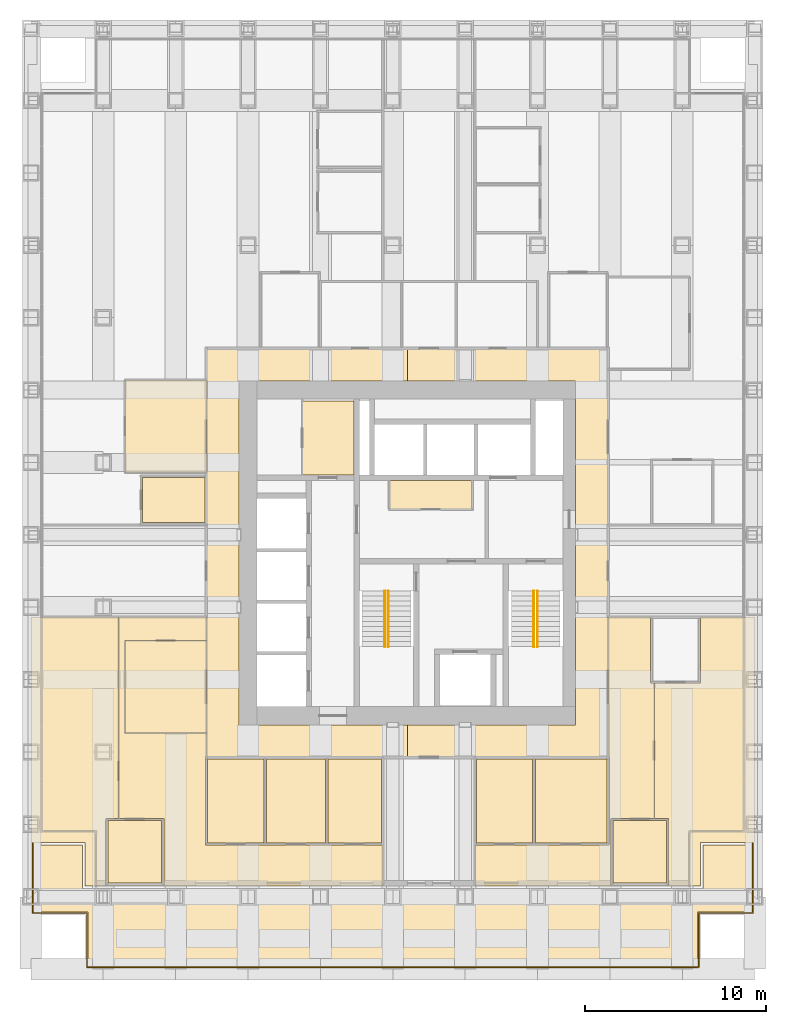
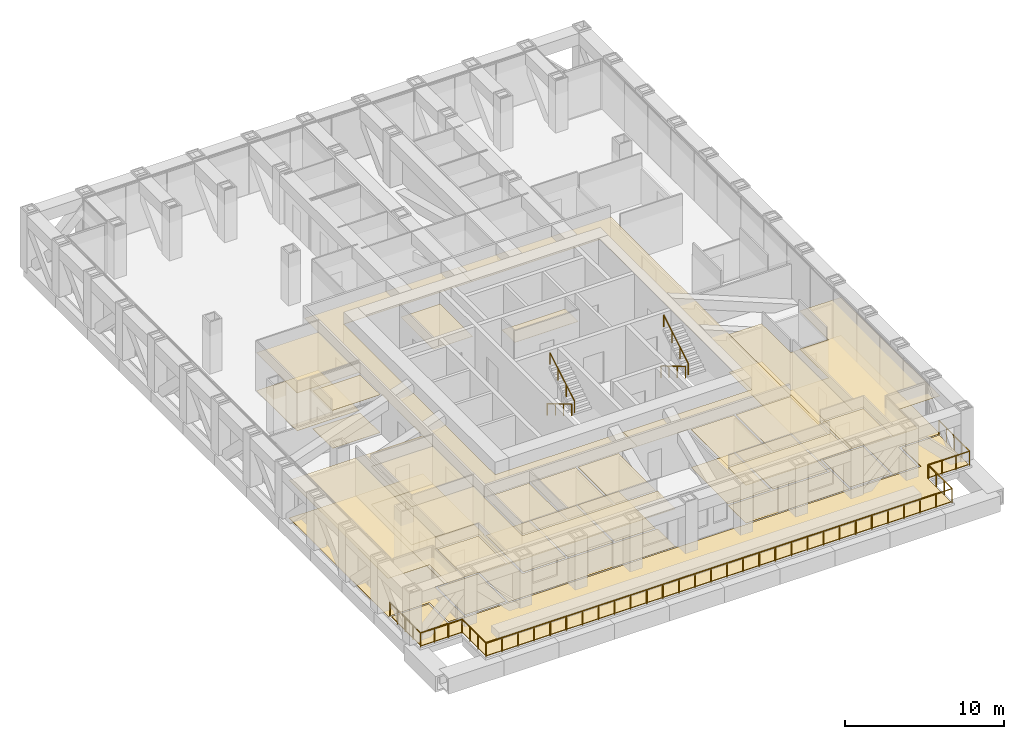
# One storey, part 14 of 16: 33 coverings, 5 railings.
"""IFC4 building model written with IfcOpenShell, lengths in metres."""

from ifc_helpers import new_model, si_unit, direction, frame, origin, origin_2d, place, context, subcontext, project, spatial, polyline, circle, outline, extrude, material, layer, layer_set, type_object, element, save


model = new_model("IFC4")

# Units and contexts
model_context = context("Model", 3, precision=1e-05, world=origin(), true_north=direction((0.0, 1.0)))
body_context = subcontext(model_context, "Body", "Model", "MODEL_VIEW")
ifc_project = project(units=[si_unit("LENGTHUNIT", "METRE"), si_unit("AREAUNIT", "SQUARE_METRE"), si_unit("VOLUMEUNIT", "CUBIC_METRE"), si_unit("PLANEANGLEUNIT", "RADIAN"), si_unit("MASSUNIT", "GRAM", prefix="KILO")], contexts=[model_context])

# Site, building, storey
site_placement = place(None, origin())
site = spatial("IfcSite", under=ifc_project, at=site_placement, CompositionType="ELEMENT")
building_placement = place(site_placement, origin())
building = spatial("IfcBuilding", under=site, at=building_placement, Name="Rimbunsela Tower", CompositionType="ELEMENT")
storey_placement = place(building_placement, frame((0.0, 0.0, 171.800048828125)))
storey = spatial("IfcBuildingStorey", under=building, at=storey_placement, Name="L41", CompositionType="ELEMENT", Elevation=171.800048828125)

# Coverings
ifc_material_1 = material(Name="Nylon carpet tile", Category="textile")
ifc_layer_1 = layer(ifc_material_1, 0.010009765625)
ifc_layer_set_1 = layer_set([ifc_layer_1], Name="Carpet tile 10")
covering_type_1 = type_object("IfcCoveringType", Name="Carpet tile 10", PredefinedType="FLOORING", material=ifc_layer_set_1)
covering_1_placement = place(storey_placement, origin())
element("IfcCovering", 1, at=covering_1_placement, inside=storey, type_object=covering_type_1, Name="Floor finish Open office", PredefinedType="FLOORING", context=body_context, shape_type="SweptSolid", body=[
    extrude(outline(polyline([(19.0, 10.85009765625), (22.300048828125, 10.85009765625), (22.39990234375, 10.85009765625), (25.448974609375, 10.85009765625), (25.448974609375, 8.60009765625), (15.699951171875, 8.60009765625), (10.85009765625, 8.60009765625), (10.85009765625, 8.6298828125), (13.35009765625, 8.6298828125), (13.35009765625, 12.330078125), (10.85009765625, 12.330078125), (10.85009765625, 23.448974609375), (15.699951171875, 23.448974609375), (15.699951171875, 22.14892578125), (11.199951171875, 22.14892578125), (11.199951171875, 17.049072265625), (15.699951171875, 17.049072265625), (15.699951171875, 15.75), (15.64990234375, 15.75), (15.64990234375, 10.85009765625), (15.699951171875, 10.85009765625), (18.89990234375, 10.85009765625), (19.0, 10.85009765625)])), origin(), (0.0, 0.0, 1.0), 0.010009765625),
])
covering_2_placement = place(storey_placement, origin())
element("IfcCovering", 2, at=covering_2_placement, inside=storey, type_object=covering_type_1, Name="Floor finish Open office", PredefinedType="FLOORING", context=body_context, shape_type="SweptSolid", body=[
    extrude(outline(polyline([(10.85009765625, 8.60009765625), (9.0, 8.60009765625), (9.0, 11.0), (6.0, 11.0), (6.0, 23.448974609375), (10.85009765625, 23.448974609375), (10.85009765625, 12.330078125), (10.14990234375, 12.330078125), (10.14990234375, 8.6298828125), (10.85009765625, 8.6298828125), (10.85009765625, 8.60009765625)])), origin(), (0.0, 0.0, 1.0), 0.010009765625),
])
covering_3_placement = place(storey_placement, origin())
element("IfcCovering", 3, at=covering_3_placement, inside=storey, type_object=covering_type_1, Name="Floor finish Open office", PredefinedType="FLOORING", context=body_context, shape_type="SweptSolid", body=[
    extrude(outline(polyline([(33.7509765625, 10.85009765625), (33.85107421875, 10.85009765625), (37.89990234375, 10.85009765625), (37.949951171875, 10.85009765625), (37.949951171875, 15.75), (37.89990234375, 15.75), (37.89990234375, 23.448974609375), (40.25, 23.448974609375), (40.25, 19.800048828125), (40.449951171875, 19.800048828125), (40.449951171875, 12.330078125), (38.050048828125, 12.330078125), (38.050048828125, 8.6298828125), (40.449951171875, 8.6298828125), (40.449951171875, 8.60009765625), (37.89990234375, 8.60009765625), (30.551025390625, 8.60009765625), (30.551025390625, 10.85009765625), (33.7509765625, 10.85009765625)])), origin(), (0.0, 0.0, 1.0), 0.010009765625),
])
covering_4_placement = place(storey_placement, origin())
element("IfcCovering", 4, at=covering_4_placement, inside=storey, type_object=covering_type_1, Name="Floor finish Open office", PredefinedType="FLOORING", context=body_context, shape_type="SweptSolid", body=[
    extrude(outline(polyline([(40.449951171875, 19.800048828125), (43.0, 19.800048828125), (43.0, 23.448974609375), (46.0, 23.448974609375), (46.0, 11.0), (43.0, 11.0), (43.0, 8.60009765625), (40.449951171875, 8.60009765625), (40.449951171875, 8.6298828125), (41.25, 8.6298828125), (41.25, 12.330078125), (40.449951171875, 12.330078125), (40.449951171875, 19.800048828125)])), origin(), (0.0, 0.0, 1.0), 0.010009765625),
])
covering_5_placement = place(storey_placement, origin())
element("IfcCovering", 5, at=covering_5_placement, inside=storey, type_object=covering_type_1, Name="Floor finish Reception", PredefinedType="FLOORING", context=body_context, shape_type="SweptSolid", body=[
    extrude(outline(polyline([(15.699951171875, 17.049072265625), (15.699951171875, 22.14892578125), (11.199951171875, 22.14892578125), (11.199951171875, 17.049072265625), (15.699951171875, 17.049072265625)])), origin(), (0.0, 0.0, 1.0), 0.010009765625),
])
covering_6_placement = place(storey_placement, origin())
element("IfcCovering", 6, at=covering_6_placement, inside=storey, type_object=covering_type_1, Name="Floor finish Reception", PredefinedType="FLOORING", context=body_context, shape_type="SweptSolid", body=[
    extrude(outline(polyline([(15.699951171875, 31.450927734375), (15.699951171875, 36.551025390625), (11.199951171875, 36.551025390625), (11.199951171875, 31.450927734375), (15.699951171875, 31.450927734375)])), origin(), (0.0, 0.0, 1.0), 0.010009765625),
])
covering_7_placement = place(storey_placement, origin())
element("IfcCovering", 7, at=covering_7_placement, inside=storey, type_object=covering_type_1, Name="Floor finish Interview room", PredefinedType="FLOORING", context=body_context, shape_type="SweptSolid", body=[
    extrude(outline(polyline([(18.875, 10.97509765625), (18.875, 15.625), (15.77490234375, 15.625), (15.77490234375, 10.97509765625), (18.875, 10.97509765625)])), origin(), (0.0, 0.0, 1.0), 0.010009765625),
])
covering_8_placement = place(storey_placement, origin())
element("IfcCovering", 8, at=covering_8_placement, inside=storey, type_object=covering_type_1, Name="Floor finish Pantry", PredefinedType="FLOORING", context=body_context, shape_type="SweptSolid", body=[
    extrude(outline(polyline([(22.27490234375, 10.97509765625), (22.27490234375, 15.625), (19.02490234375, 15.625), (19.02490234375, 10.97509765625), (22.27490234375, 10.97509765625)])), origin(), (0.0, 0.0, 1.0), 0.010009765625),
])
covering_9_placement = place(storey_placement, origin())
element("IfcCovering", 9, at=covering_9_placement, inside=storey, type_object=covering_type_1, Name="Floor finish Print and copy room", PredefinedType="FLOORING", context=body_context, shape_type="SweptSolid", body=[
    extrude(outline(polyline([(25.3740234375, 10.97509765625), (25.3740234375, 15.625), (22.425048828125, 15.625), (22.425048828125, 10.97509765625), (25.3740234375, 10.97509765625)])), origin(), (0.0, 0.0, 1.0), 0.010009765625),
])
covering_10_placement = place(storey_placement, origin())
element("IfcCovering", 10, at=covering_10_placement, inside=storey, type_object=covering_type_1, Name="Floor finish Interview room", PredefinedType="FLOORING", context=body_context, shape_type="SweptSolid", body=[
    extrude(outline(polyline([(33.72607421875, 10.97509765625), (33.72607421875, 15.625), (30.6259765625, 15.625), (30.6259765625, 10.97509765625), (33.72607421875, 10.97509765625)])), origin(), (0.0, 0.0, 1.0), 0.010009765625),
])
covering_11_placement = place(storey_placement, origin())
element("IfcCovering", 11, at=covering_11_placement, inside=storey, type_object=covering_type_1, Name="Floor finish Pantry", PredefinedType="FLOORING", context=body_context, shape_type="SweptSolid", body=[
    extrude(outline(polyline([(37.824951171875, 10.97509765625), (37.824951171875, 15.625), (33.8759765625, 15.625), (33.8759765625, 10.97509765625), (37.824951171875, 10.97509765625)])), origin(), (0.0, 0.0, 1.0), 0.010009765625),
])
covering_12_placement = place(storey_placement, origin())
element("IfcCovering", 12, at=covering_12_placement, inside=storey, type_object=covering_type_1, Name="Floor finish Office", PredefinedType="FLOORING", context=body_context, shape_type="SweptSolid", body=[
    extrude(outline(polyline([(13.22509765625, 8.7548828125), (13.22509765625, 12.205078125), (10.27490234375, 12.205078125), (10.27490234375, 8.7548828125), (13.22509765625, 8.7548828125)])), origin(), (0.0, 0.0, 1.0), 0.010009765625),
])
covering_13_placement = place(storey_placement, origin())
element("IfcCovering", 13, at=covering_13_placement, inside=storey, type_object=covering_type_1, Name="Floor finish Print and copy room", PredefinedType="FLOORING", context=body_context, shape_type="SweptSolid", body=[
    extrude(outline(polyline([(15.625, 28.675048828125), (15.625, 31.175048828125), (12.175048828125, 31.175048828125), (12.175048828125, 28.675048828125), (15.625, 28.675048828125)])), origin(), (0.0, 0.0, 1.0), 0.010009765625),
])
covering_14_placement = place(storey_placement, origin())
element("IfcCovering", 14, at=covering_14_placement, inside=storey, type_object=covering_type_1, Name="Floor finish Office", PredefinedType="FLOORING", context=body_context, shape_type="SweptSolid", body=[
    extrude(outline(polyline([(41.125, 8.7548828125), (41.125, 12.205078125), (38.175048828125, 12.205078125), (38.175048828125, 8.7548828125), (41.125, 8.7548828125)])), origin(), (0.0, 0.0, 1.0), 0.010009765625),
])
ifc_material_2 = material(Name="Mineral fibre ceiling tile", Category="gypsum")
ifc_layer_2 = layer(ifc_material_2, 0.02001953125)
ifc_layer_set_2 = layer_set([ifc_layer_2], Name="Ceiling 600 grid")
covering_type_2 = type_object("IfcCoveringType", Name="Ceiling 600 grid", PredefinedType="CEILING", material=ifc_layer_set_2)
covering_15_placement = place(storey_placement, frame((0.0, 0.0, 2.89990234375)))
element("IfcCovering", 15, at=covering_15_placement, inside=storey, type_object=covering_type_2, Name="Ceiling Staff pantry", PredefinedType="CEILING", context=body_context, shape_type="SweptSolid", body=[
    extrude(outline(polyline([(30.39990234375, 29.39990234375), (30.39990234375, 31.0), (25.800048828125, 31.0), (25.800048828125, 29.39990234375), (30.39990234375, 29.39990234375)])), origin(), (0.0, 0.0, 1.0), 0.02001953125),
])
covering_16_placement = place(storey_placement, frame((0.0, 0.0, 2.89990234375)))
element("IfcCovering", 16, at=covering_16_placement, inside=storey, type_object=covering_type_2, Name="Ceiling IT room", PredefinedType="CEILING", context=body_context, shape_type="SweptSolid", body=[
    extrude(outline(polyline([(23.85009765625, 31.300048828125), (23.85009765625, 35.39990234375), (21.0, 35.39990234375), (21.0, 31.300048828125), (23.85009765625, 31.300048828125)])), origin(), (0.0, 0.0, 1.0), 0.02001953125),
])
covering_17_placement = place(storey_placement, frame((0.0, 0.0, 2.89990234375)))
element("IfcCovering", 17, at=covering_17_placement, inside=storey, type_object=covering_type_2, Name="Ceiling Ring corridor", PredefinedType="CEILING", context=body_context, shape_type="SweptSolid", body=[
    extrude(outline(polyline([(15.699951171875, 38.300048828125), (26.800048828125, 38.300048828125), (26.800048828125, 36.5), (17.5, 36.5), (17.5, 17.5), (26.800048828125, 17.5), (26.800048828125, 15.699951171875), (15.699951171875, 15.699951171875), (15.699951171875, 38.300048828125)])), origin(), (0.0, 0.0, 1.0), 0.02001953125),
])
covering_18_placement = place(storey_placement, frame((0.0, 0.0, 2.89990234375)))
element("IfcCovering", 18, at=covering_18_placement, inside=storey, type_object=covering_type_2, Name="Ceiling Ring corridor", PredefinedType="CEILING", context=body_context, shape_type="SweptSolid", body=[
    extrude(outline(polyline([(37.89990234375, 38.300048828125), (37.89990234375, 15.699951171875), (26.800048828125, 15.699951171875), (26.800048828125, 17.5), (36.10009765625, 17.5), (36.10009765625, 36.5), (26.800048828125, 36.5), (26.800048828125, 38.300048828125), (37.89990234375, 38.300048828125)])), origin(), (0.0, 0.0, 1.0), 0.02001953125),
])
covering_19_placement = place(storey_placement, frame((0.0, 0.0, 2.89990234375)))
element("IfcCovering", 19, at=covering_19_placement, inside=storey, type_object=covering_type_2, Name="Ceiling Open office", PredefinedType="CEILING", context=body_context, shape_type="SweptSolid", body=[
    extrude(outline(polyline([(19.0, 10.85009765625), (22.300048828125, 10.85009765625), (22.39990234375, 10.85009765625), (25.448974609375, 10.85009765625), (25.448974609375, 8.60009765625), (15.699951171875, 8.60009765625), (10.85009765625, 8.60009765625), (10.85009765625, 8.6298828125), (13.35009765625, 8.6298828125), (13.35009765625, 12.330078125), (10.85009765625, 12.330078125), (10.85009765625, 23.448974609375), (15.699951171875, 23.448974609375), (15.699951171875, 22.14892578125), (11.199951171875, 22.14892578125), (11.199951171875, 17.049072265625), (15.699951171875, 17.049072265625), (15.699951171875, 15.75), (15.64990234375, 15.75), (15.64990234375, 10.85009765625), (15.699951171875, 10.85009765625), (18.89990234375, 10.85009765625), (19.0, 10.85009765625)])), origin(), (0.0, 0.0, 1.0), 0.02001953125),
])
covering_20_placement = place(storey_placement, frame((0.0, 0.0, 2.89990234375)))
element("IfcCovering", 20, at=covering_20_placement, inside=storey, type_object=covering_type_2, Name="Ceiling Open office", PredefinedType="CEILING", context=body_context, shape_type="SweptSolid", body=[
    extrude(outline(polyline([(10.85009765625, 8.60009765625), (9.0, 8.60009765625), (9.0, 11.0), (6.0, 11.0), (6.0, 23.448974609375), (10.85009765625, 23.448974609375), (10.85009765625, 12.330078125), (10.14990234375, 12.330078125), (10.14990234375, 8.6298828125), (10.85009765625, 8.6298828125), (10.85009765625, 8.60009765625)])), origin(), (0.0, 0.0, 1.0), 0.02001953125),
])
covering_21_placement = place(storey_placement, frame((0.0, 0.0, 2.89990234375)))
element("IfcCovering", 21, at=covering_21_placement, inside=storey, type_object=covering_type_2, Name="Ceiling Open office", PredefinedType="CEILING", context=body_context, shape_type="SweptSolid", body=[
    extrude(outline(polyline([(33.7509765625, 10.85009765625), (33.85107421875, 10.85009765625), (37.89990234375, 10.85009765625), (37.949951171875, 10.85009765625), (37.949951171875, 15.75), (37.89990234375, 15.75), (37.89990234375, 23.448974609375), (40.25, 23.448974609375), (40.25, 19.800048828125), (40.449951171875, 19.800048828125), (40.449951171875, 12.330078125), (38.050048828125, 12.330078125), (38.050048828125, 8.6298828125), (40.449951171875, 8.6298828125), (40.449951171875, 8.60009765625), (37.89990234375, 8.60009765625), (30.551025390625, 8.60009765625), (30.551025390625, 10.85009765625), (33.7509765625, 10.85009765625)])), origin(), (0.0, 0.0, 1.0), 0.02001953125),
])
covering_22_placement = place(storey_placement, frame((0.0, 0.0, 2.89990234375)))
element("IfcCovering", 22, at=covering_22_placement, inside=storey, type_object=covering_type_2, Name="Ceiling Open office", PredefinedType="CEILING", context=body_context, shape_type="SweptSolid", body=[
    extrude(outline(polyline([(40.449951171875, 19.800048828125), (43.0, 19.800048828125), (43.0, 23.448974609375), (46.0, 23.448974609375), (46.0, 11.0), (43.0, 11.0), (43.0, 8.60009765625), (40.449951171875, 8.60009765625), (40.449951171875, 8.6298828125), (41.25, 8.6298828125), (41.25, 12.330078125), (40.449951171875, 12.330078125), (40.449951171875, 19.800048828125)])), origin(), (0.0, 0.0, 1.0), 0.02001953125),
])
covering_23_placement = place(storey_placement, frame((0.0, 0.0, 2.89990234375)))
element("IfcCovering", 23, at=covering_23_placement, inside=storey, type_object=covering_type_2, Name="Ceiling Reception", PredefinedType="CEILING", context=body_context, shape_type="SweptSolid", body=[
    extrude(outline(polyline([(15.699951171875, 17.049072265625), (15.699951171875, 22.14892578125), (11.199951171875, 22.14892578125), (11.199951171875, 17.049072265625), (15.699951171875, 17.049072265625)])), origin(), (0.0, 0.0, 1.0), 0.02001953125),
])
covering_24_placement = place(storey_placement, frame((0.0, 0.0, 2.89990234375)))
element("IfcCovering", 24, at=covering_24_placement, inside=storey, type_object=covering_type_2, Name="Ceiling Reception", PredefinedType="CEILING", context=body_context, shape_type="SweptSolid", body=[
    extrude(outline(polyline([(15.699951171875, 31.450927734375), (15.699951171875, 36.551025390625), (11.199951171875, 36.551025390625), (11.199951171875, 31.450927734375), (15.699951171875, 31.450927734375)])), origin(), (0.0, 0.0, 1.0), 0.02001953125),
])
covering_25_placement = place(storey_placement, frame((0.0, 0.0, 2.89990234375)))
element("IfcCovering", 25, at=covering_25_placement, inside=storey, type_object=covering_type_2, Name="Ceiling Interview room", PredefinedType="CEILING", context=body_context, shape_type="SweptSolid", body=[
    extrude(outline(polyline([(18.875, 10.97509765625), (18.875, 15.625), (15.77490234375, 15.625), (15.77490234375, 10.97509765625), (18.875, 10.97509765625)])), origin(), (0.0, 0.0, 1.0), 0.02001953125),
])
covering_26_placement = place(storey_placement, frame((0.0, 0.0, 2.89990234375)))
element("IfcCovering", 26, at=covering_26_placement, inside=storey, type_object=covering_type_2, Name="Ceiling Pantry", PredefinedType="CEILING", context=body_context, shape_type="SweptSolid", body=[
    extrude(outline(polyline([(22.27490234375, 10.97509765625), (22.27490234375, 15.625), (19.02490234375, 15.625), (19.02490234375, 10.97509765625), (22.27490234375, 10.97509765625)])), origin(), (0.0, 0.0, 1.0), 0.02001953125),
])
covering_27_placement = place(storey_placement, frame((0.0, 0.0, 2.89990234375)))
element("IfcCovering", 27, at=covering_27_placement, inside=storey, type_object=covering_type_2, Name="Ceiling Print and copy room", PredefinedType="CEILING", context=body_context, shape_type="SweptSolid", body=[
    extrude(outline(polyline([(25.3740234375, 10.97509765625), (25.3740234375, 15.625), (22.425048828125, 15.625), (22.425048828125, 10.97509765625), (25.3740234375, 10.97509765625)])), origin(), (0.0, 0.0, 1.0), 0.02001953125),
])
covering_28_placement = place(storey_placement, frame((0.0, 0.0, 2.89990234375)))
element("IfcCovering", 28, at=covering_28_placement, inside=storey, type_object=covering_type_2, Name="Ceiling Interview room", PredefinedType="CEILING", context=body_context, shape_type="SweptSolid", body=[
    extrude(outline(polyline([(33.72607421875, 10.97509765625), (33.72607421875, 15.625), (30.6259765625, 15.625), (30.6259765625, 10.97509765625), (33.72607421875, 10.97509765625)])), origin(), (0.0, 0.0, 1.0), 0.02001953125),
])
covering_29_placement = place(storey_placement, frame((0.0, 0.0, 2.89990234375)))
element("IfcCovering", 29, at=covering_29_placement, inside=storey, type_object=covering_type_2, Name="Ceiling Pantry", PredefinedType="CEILING", context=body_context, shape_type="SweptSolid", body=[
    extrude(outline(polyline([(37.824951171875, 10.97509765625), (37.824951171875, 15.625), (33.8759765625, 15.625), (33.8759765625, 10.97509765625), (37.824951171875, 10.97509765625)])), origin(), (0.0, 0.0, 1.0), 0.02001953125),
])
covering_30_placement = place(storey_placement, frame((0.0, 0.0, 2.89990234375)))
element("IfcCovering", 30, at=covering_30_placement, inside=storey, type_object=covering_type_2, Name="Ceiling Office", PredefinedType="CEILING", context=body_context, shape_type="SweptSolid", body=[
    extrude(outline(polyline([(13.22509765625, 8.7548828125), (13.22509765625, 12.205078125), (10.27490234375, 12.205078125), (10.27490234375, 8.7548828125), (13.22509765625, 8.7548828125)])), origin(), (0.0, 0.0, 1.0), 0.02001953125),
])
covering_31_placement = place(storey_placement, frame((0.0, 0.0, 2.89990234375)))
element("IfcCovering", 31, at=covering_31_placement, inside=storey, type_object=covering_type_2, Name="Ceiling Print and copy room", PredefinedType="CEILING", context=body_context, shape_type="SweptSolid", body=[
    extrude(outline(polyline([(15.625, 28.675048828125), (15.625, 31.175048828125), (12.175048828125, 31.175048828125), (12.175048828125, 28.675048828125), (15.625, 28.675048828125)])), origin(), (0.0, 0.0, 1.0), 0.02001953125),
])
covering_32_placement = place(storey_placement, frame((0.0, 0.0, 2.89990234375)))
element("IfcCovering", 32, at=covering_32_placement, inside=storey, type_object=covering_type_2, Name="Ceiling Office", PredefinedType="CEILING", context=body_context, shape_type="SweptSolid", body=[
    extrude(outline(polyline([(41.125, 8.7548828125), (41.125, 12.205078125), (38.175048828125, 12.205078125), (38.175048828125, 8.7548828125), (41.125, 8.7548828125)])), origin(), (0.0, 0.0, 1.0), 0.02001953125),
])

# Railings
ifc_material_3 = material(Name="Stainless steel tube", Category="steel")
railing_type_1 = type_object("IfcRailingType", Name="Stair handrail 900", PredefinedType="HANDRAIL", material=ifc_material_3)
railing_1_placement = place(storey_placement, frame((25.550048828125, 24.89990234375, 0.16650390625)))
element("IfcRailing", 33, at=railing_1_placement, inside=storey, type_object=railing_type_1, Name="Handrail ST-A flight 1", PredefinedType="HANDRAIL", context=body_context, shape_type="SweptSolid", body=[
    extrude(circle(Radius=0.02392578125, at=origin_2d()), frame((0.0, 0.0, 0.8759765625), z_axis=(0.0, -0.859260807169, 0.511537745687), x_axis=(1.0, 0.0, 0.0)), (0.0, 0.0, 1.0), 3.584228515625),
    extrude(circle(Radius=0.02099609375, at=origin_2d()), origin(), (0.0, 0.0, 1.0), 0.851806640625),
    extrude(circle(Radius=0.02099609375, at=origin_2d()), frame((0.0, -1.026611328125, 0.611083984375)), (0.0, 0.0, 1.0), 0.851806640625),
    extrude(circle(Radius=0.02099609375, at=origin_2d()), frame((0.0, -2.05322265625, 1.222412109375)), (0.0, 0.0, 1.0), 0.851806640625),
    extrude(circle(Radius=0.02099609375, at=origin_2d()), frame((0.0, -3.079833984375, 1.83349609375)), (0.0, 0.0, 1.0), 0.851806640625),
])
railing_2_placement = place(storey_placement, frame((25.75, 21.820068359375, 2.16650390625)))
element("IfcRailing", 34, at=railing_2_placement, inside=storey, type_object=railing_type_1, Name="Handrail ST-A flight 2", PredefinedType="HANDRAIL", context=body_context, shape_type="SweptSolid", body=[
    extrude(circle(Radius=0.02392578125, at=origin_2d()), frame((0.0, 0.0, 0.8759765625), z_axis=(0.0, 0.859260807169, 0.511537745687), x_axis=(-1.0, 0.0, 0.0)), (0.0, 0.0, 1.0), 3.584228515625),
    extrude(circle(Radius=0.02099609375, at=origin_2d()), origin(), (0.0, 0.0, 1.0), 0.851806640625),
    extrude(circle(Radius=0.02099609375, at=origin_2d()), frame((0.0, 1.026611328125, 0.611083984375)), (0.0, 0.0, 1.0), 0.851806640625),
    extrude(circle(Radius=0.02099609375, at=origin_2d()), frame((0.0, 2.05322265625, 1.222412109375)), (0.0, 0.0, 1.0), 0.851806640625),
    extrude(circle(Radius=0.02099609375, at=origin_2d()), frame((0.0, 3.079833984375, 1.83349609375)), (0.0, 0.0, 1.0), 0.851806640625),
])
railing_3_placement = place(storey_placement, frame((33.800048828125, 24.89990234375, 0.16650390625)))
element("IfcRailing", 35, at=railing_3_placement, inside=storey, type_object=railing_type_1, Name="Handrail ST-B flight 1", PredefinedType="HANDRAIL", context=body_context, shape_type="SweptSolid", body=[
    extrude(circle(Radius=0.02392578125, at=origin_2d()), frame((0.0, 0.0, 0.8759765625), z_axis=(0.0, -0.859260807169, 0.511537745687), x_axis=(1.0, 0.0, 0.0)), (0.0, 0.0, 1.0), 3.584228515625),
    extrude(circle(Radius=0.02099609375, at=origin_2d()), origin(), (0.0, 0.0, 1.0), 0.851806640625),
    extrude(circle(Radius=0.02099609375, at=origin_2d()), frame((0.0, -1.026611328125, 0.611083984375)), (0.0, 0.0, 1.0), 0.851806640625),
    extrude(circle(Radius=0.02099609375, at=origin_2d()), frame((0.0, -2.05322265625, 1.222412109375)), (0.0, 0.0, 1.0), 0.851806640625),
    extrude(circle(Radius=0.02099609375, at=origin_2d()), frame((0.0, -3.079833984375, 1.83349609375)), (0.0, 0.0, 1.0), 0.851806640625),
])
railing_4_placement = place(storey_placement, frame((34.0, 21.820068359375, 2.16650390625)))
element("IfcRailing", 36, at=railing_4_placement, inside=storey, type_object=railing_type_1, Name="Handrail ST-B flight 2", PredefinedType="HANDRAIL", context=body_context, shape_type="SweptSolid", body=[
    extrude(circle(Radius=0.02392578125, at=origin_2d()), frame((0.0, 0.0, 0.8759765625), z_axis=(0.0, 0.859260807169, 0.511537745687), x_axis=(-1.0, 0.0, 0.0)), (0.0, 0.0, 1.0), 3.584228515625),
    extrude(circle(Radius=0.02099609375, at=origin_2d()), origin(), (0.0, 0.0, 1.0), 0.851806640625),
    extrude(circle(Radius=0.02099609375, at=origin_2d()), frame((0.0, 1.026611328125, 0.611083984375)), (0.0, 0.0, 1.0), 0.851806640625),
    extrude(circle(Radius=0.02099609375, at=origin_2d()), frame((0.0, 2.05322265625, 1.222412109375)), (0.0, 0.0, 1.0), 0.851806640625),
    extrude(circle(Radius=0.02099609375, at=origin_2d()), frame((0.0, 3.079833984375, 1.83349609375)), (0.0, 0.0, 1.0), 0.851806640625),
])
ifc_material_4 = material(Name="Laminated glass balustrade", Category="glass")
railing_type_2 = type_object("IfcRailingType", Name="Terrace guard 1100", PredefinedType="GUARDRAIL", material=ifc_material_4)
railing_5_placement = place(storey_placement, frame((45.89990234375, 10.949951171875, 0.0)))
element("IfcRailing", 37, at=railing_5_placement, inside=storey, type_object=railing_type_2, Name="Terrace guard L41", PredefinedType="GUARDRAIL", context=body_context, shape_type="SweptSolid", body=[
    extrude(circle(Radius=0.02392578125, at=origin_2d()), frame((0.0, 0.0, 1.076171875), z_axis=(0.0, -1.0, 0.0), x_axis=(1.0, 0.0, 0.0)), (0.0, 0.0, 1.0), 3.849853515625),
    extrude(circle(Radius=0.02392578125, at=origin_2d()), frame((0.0, -3.849853515625, 1.076171875), z_axis=(-1.0, 0.0, 0.0), x_axis=(0.0, -1.0, 0.0)), (0.0, 0.0, 1.0), 3.0),
    extrude(circle(Radius=0.02392578125, at=origin_2d()), frame((-3.0, -3.849853515625, 1.076171875), z_axis=(0.0, -1.0, 0.0), x_axis=(1.0, 0.0, 0.0)), (0.0, 0.0, 1.0), 3.0),
    extrude(circle(Radius=0.02392578125, at=origin_2d()), frame((-3.0, -6.849853515625, 1.076171875), z_axis=(-1.0, 0.0, 0.0), x_axis=(0.0, -1.0, 0.0)), (0.0, 0.0, 1.0), 33.7998046875),
    extrude(circle(Radius=0.02392578125, at=origin_2d()), frame((-36.7998046875, -6.849853515625, 1.076171875), z_axis=(0.0, 1.0, 0.0), x_axis=(-1.0, 0.0, 0.0)), (0.0, 0.0, 1.0), 3.0),
    extrude(circle(Radius=0.02392578125, at=origin_2d()), frame((-36.7998046875, -3.849853515625, 1.076171875), z_axis=(-1.0, 0.0, 0.0), x_axis=(0.0, -1.0, 0.0)), (0.0, 0.0, 1.0), 3.0),
    extrude(circle(Radius=0.02392578125, at=origin_2d()), frame((-39.7998046875, -3.849853515625, 1.076171875), z_axis=(0.0, 1.0, 0.0), x_axis=(-1.0, 0.0, 0.0)), (0.0, 0.0, 1.0), 3.849853515625),
    extrude(circle(Radius=0.02099609375, at=origin_2d()), origin(), (0.0, 0.0, 1.0), 1.052001953125),
    extrude(circle(Radius=0.02099609375, at=origin_2d()), frame((0.0, -0.96240234375, 0.0)), (0.0, 0.0, 1.0), 1.052001953125),
    extrude(circle(Radius=0.02099609375, at=origin_2d()), frame((0.0, -1.9248046875, 0.0)), (0.0, 0.0, 1.0), 1.052001953125),
    extrude(circle(Radius=0.02099609375, at=origin_2d()), frame((0.0, -2.887451171875, 0.0)), (0.0, 0.0, 1.0), 1.052001953125),
    extrude(circle(Radius=0.02099609375, at=origin_2d()), frame((0.0, -3.849853515625, 0.0)), (0.0, 0.0, 1.0), 1.052001953125),
    extrude(circle(Radius=0.02099609375, at=origin_2d()), frame((-1.0, -3.849853515625, 0.0)), (0.0, 0.0, 1.0), 1.052001953125),
    extrude(circle(Radius=0.02099609375, at=origin_2d()), frame((-2.0, -3.849853515625, 0.0)), (0.0, 0.0, 1.0), 1.052001953125),
    extrude(circle(Radius=0.02099609375, at=origin_2d()), frame((-3.0, -3.849853515625, 0.0)), (0.0, 0.0, 1.0), 1.052001953125),
    extrude(circle(Radius=0.02099609375, at=origin_2d()), frame((-3.0, -4.849853515625, 0.0)), (0.0, 0.0, 1.0), 1.052001953125),
    extrude(circle(Radius=0.02099609375, at=origin_2d()), frame((-3.0, -5.849853515625, 0.0)), (0.0, 0.0, 1.0), 1.052001953125),
    extrude(circle(Radius=0.02099609375, at=origin_2d()), frame((-3.0, -6.849853515625, 0.0)), (0.0, 0.0, 1.0), 1.052001953125),
    extrude(circle(Radius=0.02099609375, at=origin_2d()), frame((-4.16552734375, -6.849853515625, 0.0)), (0.0, 0.0, 1.0), 1.052001953125),
    extrude(circle(Radius=0.02099609375, at=origin_2d()), frame((-5.3310546875, -6.849853515625, 0.0)), (0.0, 0.0, 1.0), 1.052001953125),
    extrude(circle(Radius=0.02099609375, at=origin_2d()), frame((-6.49658203125, -6.849853515625, 0.0)), (0.0, 0.0, 1.0), 1.052001953125),
    extrude(circle(Radius=0.02099609375, at=origin_2d()), frame((-7.662109375, -6.849853515625, 0.0)), (0.0, 0.0, 1.0), 1.052001953125),
    extrude(circle(Radius=0.02099609375, at=origin_2d()), frame((-8.82763671875, -6.849853515625, 0.0)), (0.0, 0.0, 1.0), 1.052001953125),
    extrude(circle(Radius=0.02099609375, at=origin_2d()), frame((-9.9931640625, -6.849853515625, 0.0)), (0.0, 0.0, 1.0), 1.052001953125),
    extrude(circle(Radius=0.02099609375, at=origin_2d()), frame((-11.15869140625, -6.849853515625, 0.0)), (0.0, 0.0, 1.0), 1.052001953125),
    extrude(circle(Radius=0.02099609375, at=origin_2d()), frame((-12.323974609375, -6.849853515625, 0.0)), (0.0, 0.0, 1.0), 1.052001953125),
    extrude(circle(Radius=0.02099609375, at=origin_2d()), frame((-13.489501953125, -6.849853515625, 0.0)), (0.0, 0.0, 1.0), 1.052001953125),
    extrude(circle(Radius=0.02099609375, at=origin_2d()), frame((-14.655029296875, -6.849853515625, 0.0)), (0.0, 0.0, 1.0), 1.052001953125),
    extrude(circle(Radius=0.02099609375, at=origin_2d()), frame((-15.820556640625, -6.849853515625, 0.0)), (0.0, 0.0, 1.0), 1.052001953125),
    extrude(circle(Radius=0.02099609375, at=origin_2d()), frame((-16.986083984375, -6.849853515625, 0.0)), (0.0, 0.0, 1.0), 1.052001953125),
    extrude(circle(Radius=0.02099609375, at=origin_2d()), frame((-18.151611328125, -6.849853515625, 0.0)), (0.0, 0.0, 1.0), 1.052001953125),
    extrude(circle(Radius=0.02099609375, at=origin_2d()), frame((-19.317138671875, -6.849853515625, 0.0)), (0.0, 0.0, 1.0), 1.052001953125),
    extrude(circle(Radius=0.02099609375, at=origin_2d()), frame((-20.482666015625, -6.849853515625, 0.0)), (0.0, 0.0, 1.0), 1.052001953125),
    extrude(circle(Radius=0.02099609375, at=origin_2d()), frame((-21.648193359375, -6.849853515625, 0.0)), (0.0, 0.0, 1.0), 1.052001953125),
    extrude(circle(Radius=0.02099609375, at=origin_2d()), frame((-22.813720703125, -6.849853515625, 0.0)), (0.0, 0.0, 1.0), 1.052001953125),
    extrude(circle(Radius=0.02099609375, at=origin_2d()), frame((-23.979248046875, -6.849853515625, 0.0)), (0.0, 0.0, 1.0), 1.052001953125),
    extrude(circle(Radius=0.02099609375, at=origin_2d()), frame((-25.144775390625, -6.849853515625, 0.0)), (0.0, 0.0, 1.0), 1.052001953125),
    extrude(circle(Radius=0.02099609375, at=origin_2d()), frame((-26.310302734375, -6.849853515625, 0.0)), (0.0, 0.0, 1.0), 1.052001953125),
    extrude(circle(Radius=0.02099609375, at=origin_2d()), frame((-27.475830078125, -6.849853515625, 0.0)), (0.0, 0.0, 1.0), 1.052001953125),
    extrude(circle(Radius=0.02099609375, at=origin_2d()), frame((-28.64111328125, -6.849853515625, 0.0)), (0.0, 0.0, 1.0), 1.052001953125),
    extrude(circle(Radius=0.02099609375, at=origin_2d()), frame((-29.806640625, -6.849853515625, 0.0)), (0.0, 0.0, 1.0), 1.052001953125),
    extrude(circle(Radius=0.02099609375, at=origin_2d()), frame((-30.97216796875, -6.849853515625, 0.0)), (0.0, 0.0, 1.0), 1.052001953125),
    extrude(circle(Radius=0.02099609375, at=origin_2d()), frame((-32.1376953125, -6.849853515625, 0.0)), (0.0, 0.0, 1.0), 1.052001953125),
    extrude(circle(Radius=0.02099609375, at=origin_2d()), frame((-33.30322265625, -6.849853515625, 0.0)), (0.0, 0.0, 1.0), 1.052001953125),
    extrude(circle(Radius=0.02099609375, at=origin_2d()), frame((-34.46875, -6.849853515625, 0.0)), (0.0, 0.0, 1.0), 1.052001953125),
    extrude(circle(Radius=0.02099609375, at=origin_2d()), frame((-35.63427734375, -6.849853515625, 0.0)), (0.0, 0.0, 1.0), 1.052001953125),
    extrude(circle(Radius=0.02099609375, at=origin_2d()), frame((-36.7998046875, -6.849853515625, 0.0)), (0.0, 0.0, 1.0), 1.052001953125),
    extrude(circle(Radius=0.02099609375, at=origin_2d()), frame((-36.7998046875, -5.849853515625, 0.0)), (0.0, 0.0, 1.0), 1.052001953125),
    extrude(circle(Radius=0.02099609375, at=origin_2d()), frame((-36.7998046875, -4.849853515625, 0.0)), (0.0, 0.0, 1.0), 1.052001953125),
    extrude(circle(Radius=0.02099609375, at=origin_2d()), frame((-36.7998046875, -3.849853515625, 0.0)), (0.0, 0.0, 1.0), 1.052001953125),
    extrude(circle(Radius=0.02099609375, at=origin_2d()), frame((-37.7998046875, -3.849853515625, 0.0)), (0.0, 0.0, 1.0), 1.052001953125),
    extrude(circle(Radius=0.02099609375, at=origin_2d()), frame((-38.7998046875, -3.849853515625, 0.0)), (0.0, 0.0, 1.0), 1.052001953125),
    extrude(circle(Radius=0.02099609375, at=origin_2d()), frame((-39.7998046875, -3.849853515625, 0.0)), (0.0, 0.0, 1.0), 1.052001953125),
    extrude(circle(Radius=0.02099609375, at=origin_2d()), frame((-39.7998046875, -2.887451171875, 0.0)), (0.0, 0.0, 1.0), 1.052001953125),
    extrude(circle(Radius=0.02099609375, at=origin_2d()), frame((-39.7998046875, -1.9248046875, 0.0)), (0.0, 0.0, 1.0), 1.052001953125),
    extrude(circle(Radius=0.02099609375, at=origin_2d()), frame((-39.7998046875, -0.96240234375, 0.0)), (0.0, 0.0, 1.0), 1.052001953125),
    extrude(circle(Radius=0.02099609375, at=origin_2d()), frame((-39.7998046875, 0.0, 0.0)), (0.0, 0.0, 1.0), 1.052001953125),
])

# Covering
ifc_material_5 = material(Name="Porcelain paving on pedestals", Category="masonry")
ifc_layer_3 = layer(ifc_material_5, 0.050048828125)
ifc_layer_set_3 = layer_set([ifc_layer_3], Name="Terrace paving 50")
covering_type_3 = type_object("IfcCoveringType", Name="Terrace paving 50", PredefinedType="FLOORING", material=ifc_layer_set_3)
covering_33_placement = place(storey_placement, origin())
element("IfcCovering", 38, at=covering_33_placement, inside=storey, type_object=covering_type_3, Name="Terrace paving L41", PredefinedType="FLOORING", context=body_context, shape_type="SweptSolid", body=[
    extrude(outline(polyline([(45.85009765625, 7.14990234375), (42.85009765625, 7.14990234375), (42.85009765625, 4.14990234375), (9.14990234375, 4.14990234375), (9.14990234375, 7.14990234375), (6.14990234375, 7.14990234375), (6.14990234375, 10.85009765625), (8.85009765625, 10.85009765625), (8.85009765625, 8.449951171875), (43.14990234375, 8.449951171875), (43.14990234375, 10.85009765625), (45.85009765625, 10.85009765625), (45.85009765625, 7.14990234375)])), origin(), (0.0, 0.0, 1.0), 0.050048828125),
])

save(model, "model.ifc")
